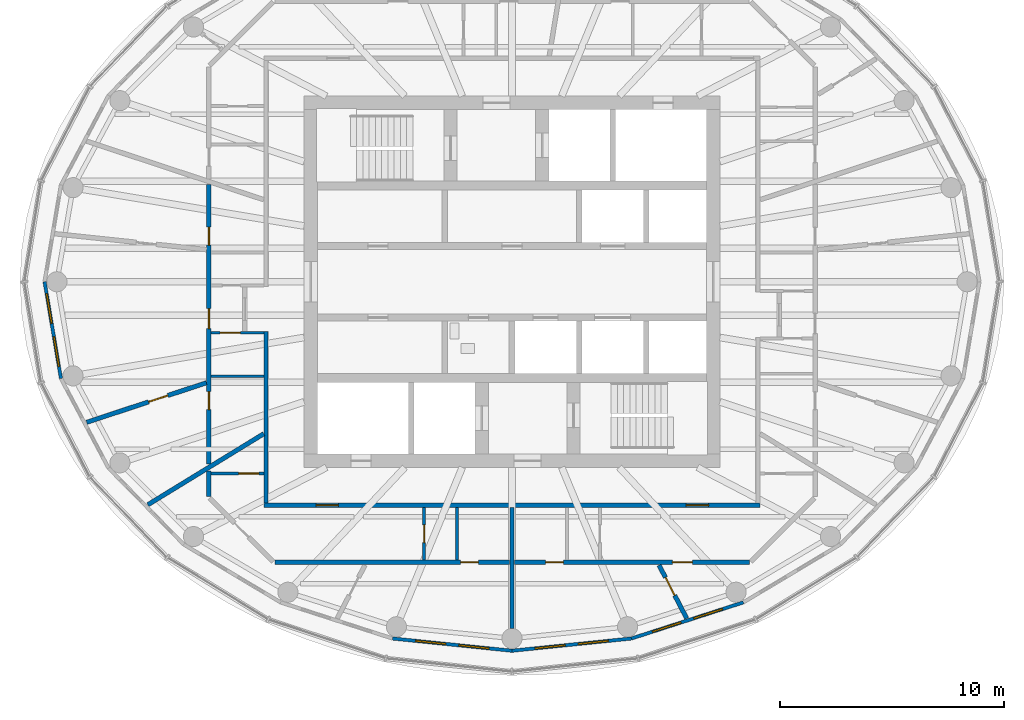
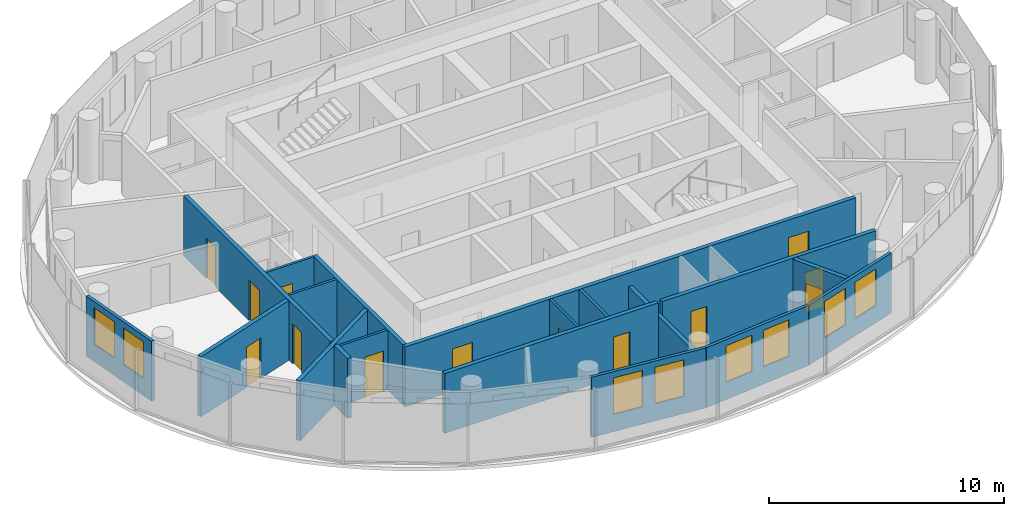
# One storey, part 5 of 12: 19 walls, 13 doors, 8 windows, 21 openings.
"""IFC4 building model written with IfcOpenShell, lengths in metres."""

from ifc_helpers import new_model, si_unit, direction, frame, frame_2d, origin, place, context, subcontext, project, spatial, rectangle, extrude, material, layer, layer_set, type_object, element, fill, save


model = new_model("IFC4")

# Units and contexts
model_context = context("Model", 3, precision=1e-05, world=origin(), true_north=direction((0.0, 1.0)))
body_context = subcontext(model_context, "Body", "Model", "MODEL_VIEW")
ifc_project = project(units=[si_unit("LENGTHUNIT", "METRE"), si_unit("AREAUNIT", "SQUARE_METRE"), si_unit("VOLUMEUNIT", "CUBIC_METRE"), si_unit("PLANEANGLEUNIT", "RADIAN"), si_unit("MASSUNIT", "GRAM", prefix="KILO")], contexts=[model_context])

# Site, building, storey
site_placement = place(None, origin())
site = spatial("IfcSite", under=ifc_project, at=site_placement, CompositionType="ELEMENT")
building_placement = place(site_placement, origin())
building = spatial("IfcBuilding", under=site, at=building_placement, Name="Hankou Lantern Tower", CompositionType="ELEMENT")
storey_placement = place(building_placement, frame((0.0, 0.0, 216.0)))
storey = spatial("IfcBuildingStorey", under=building, at=storey_placement, Name="L58", CompositionType="ELEMENT", Elevation=216.0)

# Wall, openings, windows
ifc_material_1 = material(Name="Aluminium spandrel panel on steel studs", Category="steel")
ifc_layer_1 = layer(ifc_material_1, 0.14990234375)
ifc_layer_set_1 = layer_set([ifc_layer_1], Name="Aluminium spandrel panel on steel studs")
wall_type_1 = type_object("IfcWallType", Name="EW1 INNER SKIN WALL 150", PredefinedType="ELEMENTEDWALL", material=ifc_layer_set_1)
wall_1_placement = place(storey_placement, frame((-20.89990234375, 0.0, 0.0), z_axis=(0.0, 0.0, 1.0), x_axis=(0.166538513568, -0.986034950445, 0.0)))
wall_1 = element("IfcWall", 1, at=wall_1_placement, inside=storey, type_object=wall_type_1, Name="Inner skin R13-R14 L58", PredefinedType="ELEMENTEDWALL", context=body_context, shape_type="SweptSolid", body=[
    extrude(rectangle(XDim=4.384765625, YDim=0.14990234375, at=frame_2d((2.1923828125, 0.0))), origin(), (0.0, 0.0, 1.0), 3.1201171875),
])
opening_1_placement = place(wall_1_placement, frame((0.54248046875, 0.0, 0.89990234375)))
opening_1 = element("IfcOpeningElement", 2, at=opening_1_placement, cuts=wall_1, Name="Opening W4", PredefinedType="OPENING", context=body_context, shape_type="SweptSolid", body=[
    extrude(rectangle(XDim=1.35009765625, YDim=1.89990234375, at=frame_2d((0.675048828125, 0.949951171875))), frame((0.0, 0.0849609375, 0.0), z_axis=(0.0, -1.0, 0.0), x_axis=(1.0, 0.0, 0.0)), (0.0, 0.0, 1.0), 0.169921875),
])
opening_2_placement = place(wall_1_placement, frame((2.492431640625, 0.0, 0.89990234375)))
opening_2 = element("IfcOpeningElement", 3, at=opening_2_placement, cuts=wall_1, Name="Opening W4", PredefinedType="OPENING", context=body_context, shape_type="SweptSolid", body=[
    extrude(rectangle(XDim=1.35009765625, YDim=1.89990234375, at=frame_2d((0.675048828125, 0.949951171875))), frame((0.0, 0.0849609375, 0.0), z_axis=(0.0, -1.0, 0.0), x_axis=(1.0, 0.0, 0.0)), (0.0, 0.0, 1.0), 0.169921875),
])
ifc_material_2 = material(Name="Aluminium framed double glazed window", Category="aluminium")
window_type = type_object("IfcWindowType", Name="W4 SUITE WINDOW 1350X1900", PartitioningType="DOUBLE_PANEL_VERTICAL", PredefinedType="WINDOW", material=ifc_material_2)
window_1_placement = place(opening_1_placement, origin())
window_1 = element("IfcWindow", 4, at=window_1_placement, inside=storey, type_object=window_type, Name="Window R13.1 L58", OverallHeight=1.89990234375, OverallWidth=1.35009765625, PartitioningType="SINGLE_PANEL", PredefinedType="WINDOW", context=body_context, shape_type="SweptSolid", body=[
    extrude(rectangle(XDim=1.35009765625, YDim=1.89990234375, at=frame_2d((0.675048828125, 0.949951171875))), frame((0.0, 0.030029296875, 0.0), z_axis=(0.0, -1.0, 0.0), x_axis=(1.0, 0.0, 0.0)), (0.0, 0.0, 1.0), 0.06005859375),
])
fill(opening_1, window_1)
window_2_placement = place(opening_2_placement, origin())
window_2 = element("IfcWindow", 5, at=window_2_placement, inside=storey, type_object=window_type, Name="Window R13.2 L58", OverallHeight=1.89990234375, OverallWidth=1.35009765625, PartitioningType="SINGLE_PANEL", PredefinedType="WINDOW", context=body_context, shape_type="SweptSolid", body=[
    extrude(rectangle(XDim=1.35009765625, YDim=1.89990234375, at=frame_2d((0.675048828125, 0.949951171875))), frame((0.0, 0.030029296875, 0.0), z_axis=(0.0, -1.0, 0.0), x_axis=(1.0, 0.0, 0.0)), (0.0, 0.0, 1.0), 0.06005859375),
])
fill(opening_2, window_2)

wall_2_placement = place(storey_placement, frame((-5.3427734375, -15.95166015625, 0.0), z_axis=(0.0, 0.0, 1.0), x_axis=(0.994774574972, -0.102095763818, 0.0)))
wall_2 = element("IfcWall", 6, at=wall_2_placement, inside=storey, type_object=wall_type_1, Name="Inner skin R18-R19 L58", PredefinedType="ELEMENTEDWALL", context=body_context, shape_type="SweptSolid", body=[
    extrude(rectangle(XDim=5.370849609375, YDim=0.14990234375, at=frame_2d((2.685546875, 0.0))), origin(), (0.0, 0.0, 1.0), 3.1201171875),
])
opening_3_placement = place(wall_2_placement, frame((1.035400390625, 0.0, 0.89990234375)))
opening_3 = element("IfcOpeningElement", 7, at=opening_3_placement, cuts=wall_2, Name="Opening W4", PredefinedType="OPENING", context=body_context, shape_type="SweptSolid", body=[
    extrude(rectangle(XDim=1.35009765625, YDim=1.89990234375, at=frame_2d((0.675048828125, 0.949951171875))), frame((0.0, 0.0849609375, 0.0), z_axis=(0.0, -1.0, 0.0), x_axis=(1.0, 0.0, 0.0)), (0.0, 0.0, 1.0), 0.169921875),
])
opening_4_placement = place(wall_2_placement, frame((2.9853515625, 0.0, 0.89990234375)))
opening_4 = element("IfcOpeningElement", 8, at=opening_4_placement, cuts=wall_2, Name="Opening W4", PredefinedType="OPENING", context=body_context, shape_type="SweptSolid", body=[
    extrude(rectangle(XDim=1.35009765625, YDim=1.89990234375, at=frame_2d((0.675048828125, 0.949951171875))), frame((0.0, 0.0849609375, 0.0), z_axis=(0.0, -1.0, 0.0), x_axis=(1.0, 0.0, 0.0)), (0.0, 0.0, 1.0), 0.169921875),
])
window_3_placement = place(opening_3_placement, origin())
window_3 = element("IfcWindow", 9, at=window_3_placement, inside=storey, type_object=window_type, Name="Window R18.1 L58", OverallHeight=1.89990234375, OverallWidth=1.35009765625, PartitioningType="SINGLE_PANEL", PredefinedType="WINDOW", context=body_context, shape_type="SweptSolid", body=[
    extrude(rectangle(XDim=1.35009765625, YDim=1.89990234375, at=frame_2d((0.675048828125, 0.949951171875))), frame((0.0, 0.030029296875, 0.0), z_axis=(0.0, -1.0, 0.0), x_axis=(1.0, 0.0, 0.0)), (0.0, 0.0, 1.0), 0.06005859375),
])
fill(opening_3, window_3)
window_4_placement = place(opening_4_placement, origin())
window_4 = element("IfcWindow", 10, at=window_4_placement, inside=storey, type_object=window_type, Name="Window R18.2 L58", OverallHeight=1.89990234375, OverallWidth=1.35009765625, PartitioningType="SINGLE_PANEL", PredefinedType="WINDOW", context=body_context, shape_type="SweptSolid", body=[
    extrude(rectangle(XDim=1.35009765625, YDim=1.89990234375, at=frame_2d((0.675048828125, 0.949951171875))), frame((0.0, 0.030029296875, 0.0), z_axis=(0.0, -1.0, 0.0), x_axis=(1.0, 0.0, 0.0)), (0.0, 0.0, 1.0), 0.06005859375),
])
fill(opening_4, window_4)

wall_3_placement = place(storey_placement, frame((0.0, -16.5, 0.0), z_axis=(0.0, 0.0, 1.0), x_axis=(0.994774574972, 0.102095763818, 0.0)))
wall_3 = element("IfcWall", 11, at=wall_3_placement, inside=storey, type_object=wall_type_1, Name="Inner skin R19-R20 L58", PredefinedType="ELEMENTEDWALL", context=body_context, shape_type="SweptSolid", body=[
    extrude(rectangle(XDim=5.370849609375, YDim=0.14990234375, at=frame_2d((2.685546875, 0.0))), origin(), (0.0, 0.0, 1.0), 3.1201171875),
])
opening_5_placement = place(wall_3_placement, frame((1.035400390625, 0.0, 0.89990234375)))
opening_5 = element("IfcOpeningElement", 12, at=opening_5_placement, cuts=wall_3, Name="Opening W4", PredefinedType="OPENING", context=body_context, shape_type="SweptSolid", body=[
    extrude(rectangle(XDim=1.35009765625, YDim=1.89990234375, at=frame_2d((0.675048828125, 0.949951171875))), frame((0.0, 0.0849609375, 0.0), z_axis=(0.0, -1.0, 0.0), x_axis=(1.0, 0.0, 0.0)), (0.0, 0.0, 1.0), 0.169921875),
])
opening_6_placement = place(wall_3_placement, frame((2.9853515625, 0.0, 0.89990234375)))
opening_6 = element("IfcOpeningElement", 13, at=opening_6_placement, cuts=wall_3, Name="Opening W4", PredefinedType="OPENING", context=body_context, shape_type="SweptSolid", body=[
    extrude(rectangle(XDim=1.35009765625, YDim=1.89990234375, at=frame_2d((0.675048828125, 0.949951171875))), frame((0.0, 0.0849609375, 0.0), z_axis=(0.0, -1.0, 0.0), x_axis=(1.0, 0.0, 0.0)), (0.0, 0.0, 1.0), 0.169921875),
])
window_5_placement = place(opening_5_placement, origin())
window_5 = element("IfcWindow", 14, at=window_5_placement, inside=storey, type_object=window_type, Name="Window R19.1 L58", OverallHeight=1.89990234375, OverallWidth=1.35009765625, PartitioningType="SINGLE_PANEL", PredefinedType="WINDOW", context=body_context, shape_type="SweptSolid", body=[
    extrude(rectangle(XDim=1.35009765625, YDim=1.89990234375, at=frame_2d((0.675048828125, 0.949951171875))), frame((0.0, 0.030029296875, 0.0), z_axis=(0.0, -1.0, 0.0), x_axis=(1.0, 0.0, 0.0)), (0.0, 0.0, 1.0), 0.06005859375),
])
fill(opening_5, window_5)
window_6_placement = place(opening_6_placement, origin())
window_6 = element("IfcWindow", 15, at=window_6_placement, inside=storey, type_object=window_type, Name="Window R19.2 L58", OverallHeight=1.89990234375, OverallWidth=1.35009765625, PartitioningType="SINGLE_PANEL", PredefinedType="WINDOW", context=body_context, shape_type="SweptSolid", body=[
    extrude(rectangle(XDim=1.35009765625, YDim=1.89990234375, at=frame_2d((0.675048828125, 0.949951171875))), frame((0.0, 0.030029296875, 0.0), z_axis=(0.0, -1.0, 0.0), x_axis=(1.0, 0.0, 0.0)), (0.0, 0.0, 1.0), 0.06005859375),
])
fill(opening_6, window_6)

wall_4_placement = place(storey_placement, frame((5.3427734375, -15.95166015625, 0.0), z_axis=(0.0, 0.0, 1.0), x_axis=(0.951644702515, 0.307200846638, 0.0)))
wall_4 = element("IfcWall", 16, at=wall_4_placement, inside=storey, type_object=wall_type_1, Name="Inner skin R20-R21 L58", PredefinedType="ELEMENTEDWALL", context=body_context, shape_type="SweptSolid", body=[
    extrude(rectangle(XDim=5.2578125, YDim=0.14990234375, at=frame_2d((2.62890625, 0.0))), origin(), (0.0, 0.0, 1.0), 3.1201171875),
])
opening_7_placement = place(wall_4_placement, frame((0.97900390625, 0.0, 0.89990234375)))
opening_7 = element("IfcOpeningElement", 17, at=opening_7_placement, cuts=wall_4, Name="Opening W4", PredefinedType="OPENING", context=body_context, shape_type="SweptSolid", body=[
    extrude(rectangle(XDim=1.35009765625, YDim=1.89990234375, at=frame_2d((0.675048828125, 0.949951171875))), frame((0.0, 0.0849609375, 0.0), z_axis=(0.0, -1.0, 0.0), x_axis=(1.0, 0.0, 0.0)), (0.0, 0.0, 1.0), 0.169921875),
])
opening_8_placement = place(wall_4_placement, frame((2.928955078125, 0.0, 0.89990234375)))
opening_8 = element("IfcOpeningElement", 18, at=opening_8_placement, cuts=wall_4, Name="Opening W4", PredefinedType="OPENING", context=body_context, shape_type="SweptSolid", body=[
    extrude(rectangle(XDim=1.35009765625, YDim=1.89990234375, at=frame_2d((0.675048828125, 0.949951171875))), frame((0.0, 0.0849609375, 0.0), z_axis=(0.0, -1.0, 0.0), x_axis=(1.0, 0.0, 0.0)), (0.0, 0.0, 1.0), 0.169921875),
])
window_7_placement = place(opening_7_placement, origin())
window_7 = element("IfcWindow", 19, at=window_7_placement, inside=storey, type_object=window_type, Name="Window R20.1 L58", OverallHeight=1.89990234375, OverallWidth=1.35009765625, PartitioningType="SINGLE_PANEL", PredefinedType="WINDOW", context=body_context, shape_type="SweptSolid", body=[
    extrude(rectangle(XDim=1.35009765625, YDim=1.89990234375, at=frame_2d((0.675048828125, 0.949951171875))), frame((0.0, 0.030029296875, 0.0), z_axis=(0.0, -1.0, 0.0), x_axis=(1.0, 0.0, 0.0)), (0.0, 0.0, 1.0), 0.06005859375),
])
fill(opening_7, window_7)
window_8_placement = place(opening_8_placement, origin())
window_8 = element("IfcWindow", 20, at=window_8_placement, inside=storey, type_object=window_type, Name="Window R20.2 L58", OverallHeight=1.89990234375, OverallWidth=1.35009765625, PartitioningType="SINGLE_PANEL", PredefinedType="WINDOW", context=body_context, shape_type="SweptSolid", body=[
    extrude(rectangle(XDim=1.35009765625, YDim=1.89990234375, at=frame_2d((0.675048828125, 0.949951171875))), frame((0.0, 0.030029296875, 0.0), z_axis=(0.0, -1.0, 0.0), x_axis=(1.0, 0.0, 0.0)), (0.0, 0.0, 1.0), 0.06005859375),
])
fill(opening_8, window_8)

# Walls
ifc_material_3 = material(Name="Masonry lightweight concrete block", Category="masonry")
ifc_layer_2 = layer(ifc_material_3, 0.199951171875)
ifc_layer_set_2 = layer_set([ifc_layer_2], Name="Masonry lightweight concrete block")
wall_type_2 = type_object("IfcWallType", Name="IW1 GUEST ROOM PARTY WALL 200", PredefinedType="PARTITIONING", material=ifc_layer_set_2)
wall_5_placement = place(storey_placement, frame((-11.10009765625, -6.79736328125, 0.0), z_axis=(0.0, 0.0, 1.0), x_axis=(-0.852799818179, -0.522237943963, 0.0)))
element("IfcWall", 21, at=wall_5_placement, inside=storey, type_object=wall_type_2, Name="Party wall R15-R16", PredefinedType="PARTITIONING", context=body_context, shape_type="SweptSolid", body=[
    extrude(rectangle(XDim=6.076904296875, YDim=0.199951171875, at=frame_2d((3.03857421875, 0.0))), origin(), (0.0, 0.0, 1.0), 3.1201171875),
])
wall_6_placement = place(storey_placement, frame((0.0, -10.10009765625, 0.0), z_axis=(0.0, 0.0, 1.0), x_axis=(0.0, -1.0, 0.0)))
element("IfcWall", 22, at=wall_6_placement, inside=storey, type_object=wall_type_2, Name="Party wall R19", PredefinedType="PARTITIONING", context=body_context, shape_type="SweptSolid", body=[
    extrude(rectangle(XDim=5.39990234375, YDim=0.199951171875, at=frame_2d((2.699951171875, 0.0))), origin(), (0.0, 0.0, 1.0), 2.419921875),
])

# Wall, openings, doors
ifc_material_4 = material(Name="Masonry lightweight concrete block", Category="masonry")
ifc_layer_3 = layer(ifc_material_4, 0.199951171875)
ifc_layer_set_3 = layer_set([ifc_layer_3], Name="Masonry lightweight concrete block")
wall_type_3 = type_object("IfcWallType", Name="IW2 CORRIDOR WALL 200", PredefinedType="PARTITIONING", material=ifc_layer_set_3)
wall_7_placement = place(storey_placement, frame((11.10009765625, -10.0, 0.0), z_axis=(0.0, 0.0, 1.0), x_axis=(-1.0, 0.0, 0.0)))
wall_7 = element("IfcWall", 23, at=wall_7_placement, inside=storey, type_object=wall_type_3, Name="Corridor wall south", PredefinedType="PARTITIONING", context=body_context, shape_type="SweptSolid", body=[
    extrude(rectangle(XDim=22.2001953125, YDim=0.199951171875, at=frame_2d((11.10009765625, 0.0))), origin(), (0.0, 0.0, 1.0), 3.1201171875),
])
opening_9_placement = place(wall_7_placement, frame((18.8642578125, 0.0, 0.0)))
opening_9 = element("IfcOpeningElement", 24, at=opening_9_placement, cuts=wall_7, Name="Opening D2", PredefinedType="OPENING", context=body_context, shape_type="SweptSolid", body=[
    extrude(rectangle(XDim=1.0, YDim=2.199951171875, at=frame_2d((0.5, 1.10009765625))), frame((0.0, 0.10986328125, 0.0), z_axis=(0.0, -1.0, 0.0), x_axis=(1.0, 0.0, 0.0)), (0.0, 0.0, 1.0), 0.219970703125),
])
opening_10_placement = place(wall_7_placement, frame((2.30908203125, 0.0, 0.0)))
opening_10 = element("IfcOpeningElement", 25, at=opening_10_placement, cuts=wall_7, Name="Opening D2", PredefinedType="OPENING", context=body_context, shape_type="SweptSolid", body=[
    extrude(rectangle(XDim=1.0, YDim=2.199951171875, at=frame_2d((0.5, 1.10009765625))), frame((0.0, 0.10986328125, 0.0), z_axis=(0.0, -1.0, 0.0), x_axis=(1.0, 0.0, 0.0)), (0.0, 0.0, 1.0), 0.219970703125),
])
ifc_material_5 = material(Name="Steel door leaf", Category="steel")
door_type_1 = type_object("IfcDoorType", Name="D2 SUITE DOOR 1000X2200", OperationType="SINGLE_SWING_LEFT", PredefinedType="DOOR", material=ifc_material_5)
door_1_placement = place(opening_9_placement, origin())
door_1 = element("IfcDoor", 26, at=door_1_placement, inside=storey, type_object=door_type_1, Name="Suite door 5804", OperationType="SINGLE_SWING_LEFT", OverallHeight=2.199951171875, OverallWidth=1.0, PredefinedType="DOOR", context=body_context, shape_type="SweptSolid", body=[
    extrude(rectangle(XDim=1.0, YDim=2.199951171875, at=frame_2d((0.5, 1.10009765625))), frame((0.0, 0.02490234375, 0.0), z_axis=(0.0, -1.0, 0.0), x_axis=(1.0, 0.0, 0.0)), (0.0, 0.0, 1.0), 0.050048828125),
])
fill(opening_9, door_1)
door_2_placement = place(opening_10_placement, origin())
door_2 = element("IfcDoor", 27, at=door_2_placement, inside=storey, type_object=door_type_1, Name="Suite door 5805", OperationType="SINGLE_SWING_RIGHT", OverallHeight=2.199951171875, OverallWidth=1.0, PredefinedType="DOOR", context=body_context, shape_type="SweptSolid", body=[
    extrude(rectangle(XDim=1.0, YDim=2.199951171875, at=frame_2d((0.5, 1.10009765625))), frame((0.0, 0.02490234375, 0.0), z_axis=(0.0, -1.0, 0.0), x_axis=(1.0, 0.0, 0.0)), (0.0, 0.0, 1.0), 0.050048828125),
])
fill(opening_10, door_2)

# Wall
wall_8_placement = place(storey_placement, frame((-11.0, -2.234375, 0.0), z_axis=(0.0, 0.0, 1.0), x_axis=(0.0, -1.0, 0.0)))
element("IfcWall", 28, at=wall_8_placement, inside=storey, type_object=wall_type_3, Name="Corridor wall west", PredefinedType="PARTITIONING", context=body_context, shape_type="SweptSolid", body=[
    extrude(rectangle(XDim=7.66552734375, YDim=0.199951171875, at=frame_2d((3.832763671875, 0.0))), origin(), (0.0, 0.0, 1.0), 3.1201171875),
])

# Wall, opening, door
ifc_material_6 = material(Name="Masonry lightweight concrete block", Category="masonry")
ifc_layer_4 = layer(ifc_material_6, 0.1201171875)
ifc_layer_set_4 = layer_set([ifc_layer_4], Name="Masonry lightweight concrete block")
wall_type_4 = type_object("IfcWallType", Name="IW3 BATHROOM WALL 120", PredefinedType="PARTITIONING", material=ifc_layer_set_4)
wall_9_placement = place(storey_placement, frame((-11.10009765625, -2.284423828125, 0.0), z_axis=(0.0, 0.0, 1.0), x_axis=(-1.0, 0.0, 0.0)))
wall_9 = element("IfcWall", 29, at=wall_9_placement, inside=storey, type_object=wall_type_4, Name="Box wall 5803 3", PredefinedType="PARTITIONING", context=body_context, shape_type="SweptSolid", body=[
    extrude(rectangle(XDim=2.349853515625, YDim=0.1201171875, at=frame_2d((1.1748046875, 0.0))), origin(), (0.0, 0.0, 1.0), 3.1201171875),
])
opening_11_placement = place(wall_9_placement, frame((1.050048828125, 0.0, 0.0)))
opening_11 = element("IfcOpeningElement", 30, at=opening_11_placement, cuts=wall_9, Name="Opening D27", PredefinedType="OPENING", context=body_context, shape_type="SweptSolid", body=[
    extrude(rectangle(XDim=0.89990234375, YDim=2.10009765625, at=frame_2d((0.449951171875, 1.050048828125))), frame((0.0, 0.070068359375, 0.0), z_axis=(0.0, -1.0, 0.0), x_axis=(1.0, 0.0, 0.0)), (0.0, 0.0, 1.0), 0.14013671875),
])
ifc_material_7 = material(Name="Timber door leaf", Category="wood")
door_type_2 = type_object("IfcDoorType", Name="D27 INTERNAL DOOR 900X2100", OperationType="SINGLE_SWING_LEFT", PredefinedType="DOOR", material=ifc_material_7)
door_3_placement = place(opening_11_placement, origin())
door_3 = element("IfcDoor", 31, at=door_3_placement, inside=storey, type_object=door_type_2, Name="Family suite 5803 walk-in wardrobe door", OperationType="SINGLE_SWING_RIGHT", OverallHeight=2.10009765625, OverallWidth=0.89990234375, PredefinedType="DOOR", context=body_context, shape_type="SweptSolid", body=[
    extrude(rectangle(XDim=0.89990234375, YDim=2.10009765625, at=frame_2d((0.449951171875, 1.050048828125))), frame((0.0, 0.02490234375, 0.0), z_axis=(0.0, -1.0, 0.0), x_axis=(1.0, 0.0, 0.0)), (0.0, 0.0, 1.0), 0.050048828125),
])
fill(opening_11, door_3)

# Wall
wall_10_placement = place(storey_placement, frame((-11.10009765625, -4.227783203125, 0.0), z_axis=(0.0, 0.0, 1.0), x_axis=(-1.0, 0.0, 0.0)))
element("IfcWall", 32, at=wall_10_placement, inside=storey, type_object=wall_type_4, Name="Box wall 5803 4", PredefinedType="PARTITIONING", context=body_context, shape_type="SweptSolid", body=[
    extrude(rectangle(XDim=2.349853515625, YDim=0.1201171875, at=frame_2d((1.1748046875, 0.0))), origin(), (0.0, 0.0, 1.0), 3.1201171875),
])

# Wall, opening, door
wall_11_placement = place(storey_placement, frame((-11.10009765625, -8.57568359375, 0.0), z_axis=(0.0, 0.0, 1.0), x_axis=(-1.0, 0.0, 0.0)))
wall_11 = element("IfcWall", 33, at=wall_11_placement, inside=storey, type_object=wall_type_4, Name="Box wall 5804 1", PredefinedType="PARTITIONING", context=body_context, shape_type="SweptSolid", body=[
    extrude(rectangle(XDim=2.349853515625, YDim=0.1201171875, at=frame_2d((1.1748046875, 0.0))), origin(), (0.0, 0.0, 1.0), 3.1201171875),
])
opening_12_placement = place(wall_11_placement, frame((0.219970703125, 0.0, 0.0)))
opening_12 = element("IfcOpeningElement", 34, at=opening_12_placement, cuts=wall_11, Name="Opening D27", PredefinedType="OPENING", context=body_context, shape_type="SweptSolid", body=[
    extrude(rectangle(XDim=0.89990234375, YDim=2.10009765625, at=frame_2d((0.449951171875, 1.050048828125))), frame((0.0, 0.070068359375, 0.0), z_axis=(0.0, -1.0, 0.0), x_axis=(1.0, 0.0, 0.0)), (0.0, 0.0, 1.0), 0.14013671875),
])
door_4_placement = place(opening_12_placement, origin())
door_4 = element("IfcDoor", 35, at=door_4_placement, inside=storey, type_object=door_type_2, Name="Suite 5804 walk-in wardrobe door", OperationType="SINGLE_SWING_LEFT", OverallHeight=2.10009765625, OverallWidth=0.89990234375, PredefinedType="DOOR", context=body_context, shape_type="SweptSolid", body=[
    extrude(rectangle(XDim=0.89990234375, YDim=2.10009765625, at=frame_2d((0.449951171875, 1.050048828125))), frame((0.0, 0.02490234375, 0.0), z_axis=(0.0, -1.0, 0.0), x_axis=(1.0, 0.0, 0.0)), (0.0, 0.0, 1.0), 0.050048828125),
])
fill(opening_12, door_4)

wall_12_placement = place(storey_placement, frame((-3.930908203125, -10.10009765625, 0.0), z_axis=(0.0, 0.0, 1.0), x_axis=(0.0, -1.0, 0.0)))
wall_12 = element("IfcWall", 36, at=wall_12_placement, inside=storey, type_object=wall_type_4, Name="Box wall 5804 2", PredefinedType="PARTITIONING", context=body_context, shape_type="SweptSolid", body=[
    extrude(rectangle(XDim=2.349853515625, YDim=0.1201171875, at=frame_2d((1.1748046875, 0.0))), origin(), (0.0, 0.0, 1.0), 3.1201171875),
])
opening_13_placement = place(wall_12_placement, frame((0.77001953125, 0.0, 0.0)))
opening_13 = element("IfcOpeningElement", 37, at=opening_13_placement, cuts=wall_12, Name="Opening D3", PredefinedType="OPENING", context=body_context, shape_type="SweptSolid", body=[
    extrude(rectangle(XDim=0.800048828125, YDim=2.10009765625, at=frame_2d((0.39990234375, 1.050048828125))), frame((0.0, 0.070068359375, 0.0), z_axis=(0.0, -1.0, 0.0), x_axis=(1.0, 0.0, 0.0)), (0.0, 0.0, 1.0), 0.14013671875),
])
ifc_material_8 = material(Name="Timber door leaf", Category="wood")
door_type_3 = type_object("IfcDoorType", Name="D3 BATHROOM DOOR 800X2100", OperationType="SINGLE_SWING_LEFT", PredefinedType="DOOR", material=ifc_material_8)
door_5_placement = place(opening_13_placement, origin())
door_5 = element("IfcDoor", 38, at=door_5_placement, inside=storey, type_object=door_type_3, Name="Suite 5804 guest WC door", OperationType="SINGLE_SWING_LEFT", OverallHeight=2.10009765625, OverallWidth=0.800048828125, PredefinedType="DOOR", context=body_context, shape_type="SweptSolid", body=[
    extrude(rectangle(XDim=0.800048828125, YDim=2.10009765625, at=frame_2d((0.39990234375, 1.050048828125))), frame((0.0, 0.02490234375, 0.0), z_axis=(0.0, -1.0, 0.0), x_axis=(1.0, 0.0, 0.0)), (0.0, 0.0, 1.0), 0.050048828125),
])
fill(opening_13, door_5)

# Wall
wall_13_placement = place(storey_placement, frame((-2.4609375, -10.10009765625, 0.0), z_axis=(0.0, 0.0, 1.0), x_axis=(0.0, -1.0, 0.0)))
element("IfcWall", 39, at=wall_13_placement, inside=storey, type_object=wall_type_4, Name="Box wall 5804 3", PredefinedType="PARTITIONING", context=body_context, shape_type="SweptSolid", body=[
    extrude(rectangle(XDim=2.349853515625, YDim=0.1201171875, at=frame_2d((1.1748046875, 0.0))), origin(), (0.0, 0.0, 1.0), 3.1201171875),
])

# Wall, openings, doors
ifc_material_9 = material(Name="Masonry lightweight concrete block", Category="masonry")
ifc_layer_5 = layer(ifc_material_9, 0.199951171875)
ifc_layer_set_5 = layer_set([ifc_layer_5], Name="Masonry lightweight concrete block")
wall_type_5 = type_object("IfcWallType", Name="IW6 SUITE PARTITION 200", PredefinedType="PARTITIONING", material=ifc_layer_set_5)
wall_14_placement = place(storey_placement, frame((-13.550048828125, 4.357177734375, 0.0), z_axis=(0.0, 0.0, 1.0), x_axis=(0.0, -1.0, 0.0)))
wall_14 = element("IfcWall", 40, at=wall_14_placement, inside=storey, type_object=wall_type_5, Name="Suite foyer wall 5803", PredefinedType="PARTITIONING", context=body_context, shape_type="SweptSolid", body=[
    extrude(rectangle(XDim=12.496337890625, YDim=0.199951171875, at=frame_2d((6.248046875, 0.0))), origin(), (0.0, 0.0, 1.0), 3.1201171875),
])
opening_14_placement = place(wall_14_placement, frame((1.919921875, 0.0, 0.0)))
opening_14 = element("IfcOpeningElement", 41, at=opening_14_placement, cuts=wall_14, Name="Opening D3", PredefinedType="OPENING", context=body_context, shape_type="SweptSolid", body=[
    extrude(rectangle(XDim=0.800048828125, YDim=2.10009765625, at=frame_2d((0.39990234375, 1.050048828125))), frame((0.0, 0.10986328125, 0.0), z_axis=(0.0, -1.0, 0.0), x_axis=(1.0, 0.0, 0.0)), (0.0, 0.0, 1.0), 0.219970703125),
])
opening_15_placement = place(wall_14_placement, frame((9.27001953125, 0.0, 0.0)))
opening_15 = element("IfcOpeningElement", 42, at=opening_15_placement, cuts=wall_14, Name="Opening D3", PredefinedType="OPENING", context=body_context, shape_type="SweptSolid", body=[
    extrude(rectangle(XDim=0.800048828125, YDim=2.10009765625, at=frame_2d((0.39990234375, 1.050048828125))), frame((0.0, 0.10986328125, 0.0), z_axis=(0.0, -1.0, 0.0), x_axis=(1.0, 0.0, 0.0)), (0.0, 0.0, 1.0), 0.219970703125),
])
opening_16_placement = place(wall_14_placement, frame((5.556640625, 0.0, 0.0)))
opening_16 = element("IfcOpeningElement", 43, at=opening_16_placement, cuts=wall_14, Name="Opening D27", PredefinedType="OPENING", context=body_context, shape_type="SweptSolid", body=[
    extrude(rectangle(XDim=0.89990234375, YDim=2.10009765625, at=frame_2d((0.449951171875, 1.050048828125))), frame((0.0, 0.10986328125, 0.0), z_axis=(0.0, -1.0, 0.0), x_axis=(1.0, 0.0, 0.0)), (0.0, 0.0, 1.0), 0.219970703125),
])
door_6_placement = place(opening_16_placement, origin())
door_6 = element("IfcDoor", 44, at=door_6_placement, inside=storey, type_object=door_type_2, Name="Family suite 5803 living room door", OperationType="SINGLE_SWING_RIGHT", OverallHeight=2.10009765625, OverallWidth=0.89990234375, PredefinedType="DOOR", context=body_context, shape_type="SweptSolid", body=[
    extrude(rectangle(XDim=0.89990234375, YDim=2.10009765625, at=frame_2d((0.449951171875, 1.050048828125))), frame((0.0, 0.02490234375, 0.0), z_axis=(0.0, -1.0, 0.0), x_axis=(1.0, 0.0, 0.0)), (0.0, 0.0, 1.0), 0.050048828125),
])
fill(opening_16, door_6)
door_7_placement = place(opening_14_placement, origin())
door_7 = element("IfcDoor", 45, at=door_7_placement, inside=storey, type_object=door_type_3, Name="Family suite 5803 bathroom door", OperationType="SINGLE_SWING_RIGHT", OverallHeight=2.10009765625, OverallWidth=0.800048828125, PredefinedType="DOOR", context=body_context, shape_type="SweptSolid", body=[
    extrude(rectangle(XDim=0.800048828125, YDim=2.10009765625, at=frame_2d((0.39990234375, 1.050048828125))), frame((0.0, 0.02490234375, 0.0), z_axis=(0.0, -1.0, 0.0), x_axis=(1.0, 0.0, 0.0)), (0.0, 0.0, 1.0), 0.050048828125),
])
fill(opening_14, door_7)
door_8_placement = place(opening_15_placement, origin())
door_8 = element("IfcDoor", 46, at=door_8_placement, inside=storey, type_object=door_type_3, Name="Family suite 5803 second bathroom door", OperationType="SINGLE_SWING_LEFT", OverallHeight=2.10009765625, OverallWidth=0.800048828125, PredefinedType="DOOR", context=body_context, shape_type="SweptSolid", body=[
    extrude(rectangle(XDim=0.800048828125, YDim=2.10009765625, at=frame_2d((0.39990234375, 1.050048828125))), frame((0.0, 0.02490234375, 0.0), z_axis=(0.0, -1.0, 0.0), x_axis=(1.0, 0.0, 0.0)), (0.0, 0.0, 1.0), 0.050048828125),
])
fill(opening_15, door_8)

# Wall, opening, door
wall_15_placement = place(storey_placement, frame((-13.664306640625, -4.516357421875, 0.0), z_axis=(0.0, 0.0, 1.0), x_axis=(-0.949481375941, -0.313823384632, 0.0)))
wall_15 = element("IfcWall", 47, at=wall_15_placement, inside=storey, type_object=wall_type_5, Name="Suite partition R14-R15", PredefinedType="PARTITIONING", context=body_context, shape_type="SweptSolid", body=[
    extrude(rectangle(XDim=5.637939453125, YDim=0.199951171875, at=frame_2d((2.81884765625, 0.0))), origin(), (0.0, 0.0, 1.0), 3.1201171875),
])
opening_17_placement = place(wall_15_placement, frame((1.820068359375, 0.0, 0.0)))
opening_17 = element("IfcOpeningElement", 48, at=opening_17_placement, cuts=wall_15, Name="Opening D27", PredefinedType="OPENING", context=body_context, shape_type="SweptSolid", body=[
    extrude(rectangle(XDim=0.89990234375, YDim=2.10009765625, at=frame_2d((0.449951171875, 1.050048828125))), frame((0.0, 0.10986328125, 0.0), z_axis=(0.0, -1.0, 0.0), x_axis=(1.0, 0.0, 0.0)), (0.0, 0.0, 1.0), 0.219970703125),
])
door_9_placement = place(opening_17_placement, origin())
door_9 = element("IfcDoor", 49, at=door_9_placement, inside=storey, type_object=door_type_2, Name="Family suite 5803 second bedroom door", OperationType="SINGLE_SWING_LEFT", OverallHeight=2.10009765625, OverallWidth=0.89990234375, PredefinedType="DOOR", context=body_context, shape_type="SweptSolid", body=[
    extrude(rectangle(XDim=0.89990234375, YDim=2.10009765625, at=frame_2d((0.449951171875, 1.050048828125))), frame((0.0, 0.02490234375, 0.0), z_axis=(0.0, -1.0, 0.0), x_axis=(1.0, 0.0, 0.0)), (0.0, 0.0, 1.0), 0.050048828125),
])
fill(opening_17, door_9)

# Wall
wall_16_placement = place(storey_placement, frame((-13.550048828125, -8.4560546875, 0.0), z_axis=(0.0, 0.0, 1.0), x_axis=(0.0, -1.0, 0.0)))
element("IfcWall", 50, at=wall_16_placement, inside=storey, type_object=wall_type_5, Name="Suite foyer wall 5804", PredefinedType="PARTITIONING", context=body_context, shape_type="SweptSolid", body=[
    extrude(rectangle(XDim=1.152587890625, YDim=0.199951171875, at=frame_2d((0.576171875, 0.0))), origin(), (0.0, 0.0, 1.0), 3.1201171875),
])

# Wall, opening, door
wall_17_placement = place(storey_placement, frame((-10.608642578125, -12.550048828125, 0.0), z_axis=(0.0, 0.0, 1.0), x_axis=(1.0, 0.0, 0.0)))
wall_17 = element("IfcWall", 51, at=wall_17_placement, inside=storey, type_object=wall_type_5, Name="Suite foyer wall 5804", PredefinedType="PARTITIONING", context=body_context, shape_type="SweptSolid", body=[
    extrude(rectangle(XDim=10.507568359375, YDim=0.199951171875, at=frame_2d((5.25390625, 0.0))), origin(), (0.0, 0.0, 1.0), 3.1201171875),
])
opening_18_placement = place(wall_17_placement, frame((8.3076171875, 0.0, 0.0)))
opening_18 = element("IfcOpeningElement", 52, at=opening_18_placement, cuts=wall_17, Name="Opening D3", PredefinedType="OPENING", context=body_context, shape_type="SweptSolid", body=[
    extrude(rectangle(XDim=0.800048828125, YDim=2.10009765625, at=frame_2d((0.39990234375, 1.050048828125))), frame((0.0, 0.10986328125, 0.0), z_axis=(0.0, -1.0, 0.0), x_axis=(1.0, 0.0, 0.0)), (0.0, 0.0, 1.0), 0.219970703125),
])
door_10_placement = place(opening_18_placement, origin())
door_10 = element("IfcDoor", 53, at=door_10_placement, inside=storey, type_object=door_type_3, Name="Suite 5804 bathroom door", OperationType="SINGLE_SWING_LEFT", OverallHeight=2.10009765625, OverallWidth=0.800048828125, PredefinedType="DOOR", context=body_context, shape_type="SweptSolid", body=[
    extrude(rectangle(XDim=0.800048828125, YDim=2.10009765625, at=frame_2d((0.39990234375, 1.050048828125))), frame((0.0, 0.02490234375, 0.0), z_axis=(0.0, -1.0, 0.0), x_axis=(1.0, 0.0, 0.0)), (0.0, 0.0, 1.0), 0.050048828125),
])
fill(opening_18, door_10)

# Wall, openings, doors
wall_18_placement = place(storey_placement, frame((0.10107421875, -12.550048828125, 0.0), z_axis=(0.0, 0.0, 1.0), x_axis=(1.0, 0.0, 0.0)))
wall_18 = element("IfcWall", 54, at=wall_18_placement, inside=storey, type_object=wall_type_5, Name="Suite foyer wall 5805", PredefinedType="PARTITIONING", context=body_context, shape_type="SweptSolid", body=[
    extrude(rectangle(XDim=10.507568359375, YDim=0.199951171875, at=frame_2d((5.25390625, 0.0))), origin(), (0.0, 0.0, 1.0), 3.1201171875),
])
opening_19_placement = place(wall_18_placement, frame((1.39990234375, 0.0, 0.0)))
opening_19 = element("IfcOpeningElement", 55, at=opening_19_placement, cuts=wall_18, Name="Opening D3", PredefinedType="OPENING", context=body_context, shape_type="SweptSolid", body=[
    extrude(rectangle(XDim=0.800048828125, YDim=2.10009765625, at=frame_2d((0.39990234375, 1.050048828125))), frame((0.0, 0.10986328125, 0.0), z_axis=(0.0, -1.0, 0.0), x_axis=(1.0, 0.0, 0.0)), (0.0, 0.0, 1.0), 0.219970703125),
])
opening_20_placement = place(wall_18_placement, frame((7.070068359375, 0.0, 0.0)))
opening_20 = element("IfcOpeningElement", 56, at=opening_20_placement, cuts=wall_18, Name="Opening D27", PredefinedType="OPENING", context=body_context, shape_type="SweptSolid", body=[
    extrude(rectangle(XDim=0.89990234375, YDim=2.10009765625, at=frame_2d((0.449951171875, 1.050048828125))), frame((0.0, 0.10986328125, 0.0), z_axis=(0.0, -1.0, 0.0), x_axis=(1.0, 0.0, 0.0)), (0.0, 0.0, 1.0), 0.219970703125),
])
door_11_placement = place(opening_20_placement, origin())
door_11 = element("IfcDoor", 57, at=door_11_placement, inside=storey, type_object=door_type_2, Name="Suite 5805 living room door", OperationType="SINGLE_SWING_LEFT", OverallHeight=2.10009765625, OverallWidth=0.89990234375, PredefinedType="DOOR", context=body_context, shape_type="SweptSolid", body=[
    extrude(rectangle(XDim=0.89990234375, YDim=2.10009765625, at=frame_2d((0.449951171875, 1.050048828125))), frame((0.0, 0.02490234375, 0.0), z_axis=(0.0, -1.0, 0.0), x_axis=(1.0, 0.0, 0.0)), (0.0, 0.0, 1.0), 0.050048828125),
])
fill(opening_20, door_11)
door_12_placement = place(opening_19_placement, origin())
door_12 = element("IfcDoor", 58, at=door_12_placement, inside=storey, type_object=door_type_3, Name="Suite 5805 bathroom door", OperationType="SINGLE_SWING_RIGHT", OverallHeight=2.10009765625, OverallWidth=0.800048828125, PredefinedType="DOOR", context=body_context, shape_type="SweptSolid", body=[
    extrude(rectangle(XDim=0.800048828125, YDim=2.10009765625, at=frame_2d((0.39990234375, 1.050048828125))), frame((0.0, 0.02490234375, 0.0), z_axis=(0.0, -1.0, 0.0), x_axis=(1.0, 0.0, 0.0)), (0.0, 0.0, 1.0), 0.050048828125),
])
fill(opening_19, door_12)

# Wall, opening, door
wall_19_placement = place(storey_placement, frame((6.578125, -12.676513671875, 0.0), z_axis=(0.0, 0.0, 1.0), x_axis=(0.460620531465, -0.887597164255, 0.0)))
wall_19 = element("IfcWall", 59, at=wall_19_placement, inside=storey, type_object=wall_type_5, Name="Suite partition R20-R21", PredefinedType="PARTITIONING", context=body_context, shape_type="SweptSolid", body=[
    extrude(rectangle(XDim=2.677734375, YDim=0.199951171875, at=frame_2d((1.3388671875, 0.0))), origin(), (0.0, 0.0, 1.0), 3.1201171875),
])
opening_21_placement = place(wall_19_placement, frame((0.6201171875, 0.0, 0.0)))
opening_21 = element("IfcOpeningElement", 60, at=opening_21_placement, cuts=wall_19, Name="Opening D27", PredefinedType="OPENING", context=body_context, shape_type="SweptSolid", body=[
    extrude(rectangle(XDim=0.89990234375, YDim=2.10009765625, at=frame_2d((0.449951171875, 1.050048828125))), frame((0.0, 0.10986328125, 0.0), z_axis=(0.0, -1.0, 0.0), x_axis=(1.0, 0.0, 0.0)), (0.0, 0.0, 1.0), 0.219970703125),
])
door_13_placement = place(opening_21_placement, origin())
door_13 = element("IfcDoor", 61, at=door_13_placement, inside=storey, type_object=door_type_2, Name="Suite 5805 bedroom door", OperationType="SINGLE_SWING_LEFT", OverallHeight=2.10009765625, OverallWidth=0.89990234375, PredefinedType="DOOR", context=body_context, shape_type="SweptSolid", body=[
    extrude(rectangle(XDim=0.89990234375, YDim=2.10009765625, at=frame_2d((0.449951171875, 1.050048828125))), frame((0.0, 0.02490234375, 0.0), z_axis=(0.0, -1.0, 0.0), x_axis=(1.0, 0.0, 0.0)), (0.0, 0.0, 1.0), 0.050048828125),
])
fill(opening_21, door_13)

save(model, "model.ifc")
